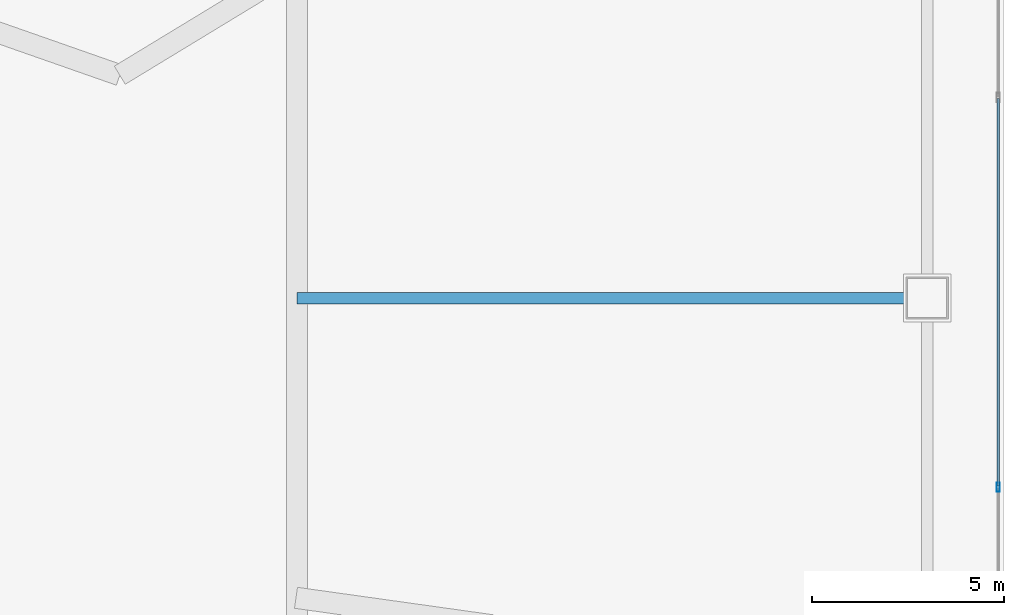
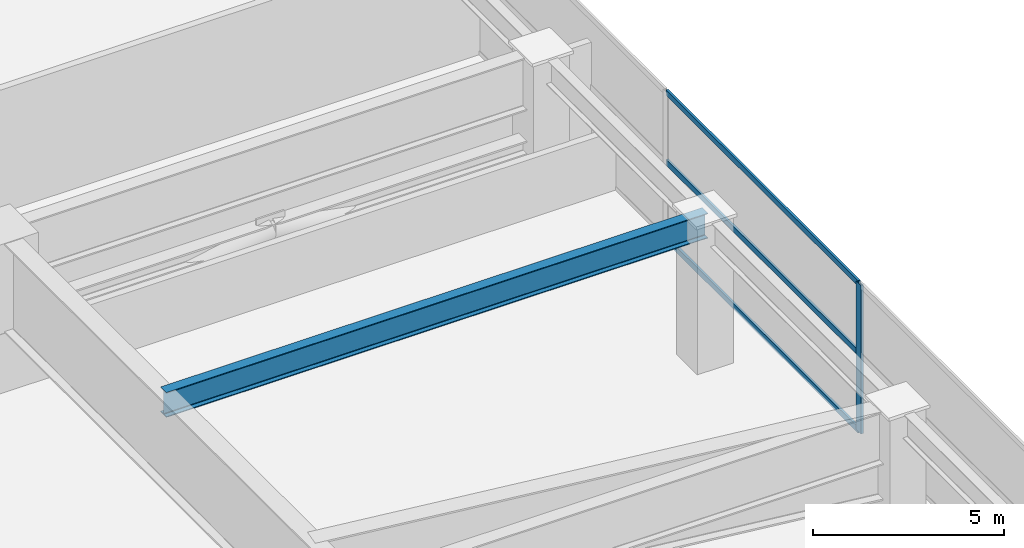
# One storey, part 24 of 36: 4 members, 1 beam, 1 element without a shape of its own.
"""IFC4 building model written with IfcOpenShell, lengths in metres."""

from ifc_helpers import new_model, si_unit, direction, frame, origin, origin_2d, place, context, subcontext, project, spatial, hollow_rectangle, i_section, extrude, material, layer, layer_set, material_profile, profile_set, type_object, element, aggregate, save


model = new_model("IFC4")

# Units and contexts
model_context = context("Model", 3, precision=1e-05, world=origin(), true_north=direction((0.0, 1.0)))
body_context = subcontext(model_context, "Body", "Model", "MODEL_VIEW")
ifc_project = project(units=[si_unit("LENGTHUNIT", "METRE"), si_unit("AREAUNIT", "SQUARE_METRE"), si_unit("VOLUMEUNIT", "CUBIC_METRE"), si_unit("PLANEANGLEUNIT", "RADIAN"), si_unit("MASSUNIT", "GRAM", prefix="KILO")], contexts=[model_context])

# Site, building, storey
site_placement = place(None, origin())
site = spatial("IfcSite", under=ifc_project, at=site_placement, CompositionType="ELEMENT")
building_placement = place(site_placement, origin())
building = spatial("IfcBuilding", under=site, at=building_placement, Name="Calvorn Quay Hotel", CompositionType="ELEMENT")
storey_placement = place(building_placement, frame((0.0, 0.0, 22.0)))
storey = spatial("IfcBuildingStorey", under=building, at=storey_placement, Name="L04", CompositionType="ELEMENT", Elevation=22.0)

# Beam
ifc_material_1 = material(Name="Steel Q390GJC", Category="steel")
ifc_material_profile_1 = material_profile(ifc_material_1, i_section(OverallWidth=0.300048828125, OverallDepth=0.800048828125, WebThickness=0.013916015625, FlangeThickness=0.02587890625, FilletRadius=0.02392578125, at=origin_2d()), Name="HN800x300x14x26")
ifc_profile_set_1 = profile_set([ifc_material_profile_1], Name="Steel Q390GJC")
beam_type = type_object("IfcBeamType", Name="BM-GIRD-POD", PredefinedType="BEAM", material=ifc_profile_set_1)
beam_placement = place(storey_placement, frame((57.60009765625, 27.60009765625, 4.340087890625), z_axis=(1.0, 0.0, 0.0), x_axis=(0.0, 1.0, 0.0)))
element("IfcBeam", 1, at=beam_placement, inside=storey, type_object=beam_type, Name="Beam BG-L04-GDN2", PredefinedType="BEAM", context=body_context, shape_type="SweptSolid", body=[
    extrude(i_section(OverallWidth=0.300048828125, OverallDepth=0.800048828125, WebThickness=0.013916015625, FlangeThickness=0.02587890625, FilletRadius=0.02392578125, at=origin_2d()), origin(), (0.0, 0.0, 1.0), 16.39990234375),
])

# Curtain wall, members
ifc_material_2 = material(Name="Pale Anodised Aluminium and Low-E Glass", Category="aluminium")
ifc_layer = layer(ifc_material_2, 0.219970703125)
ifc_layer_set = layer_set([ifc_layer], Name="CW-SYS-POD")
curtain_wall_type = type_object("IfcCurtainWallType", Name="CW-SYS-POD", PredefinedType="NOTDEFINED", material=ifc_layer_set)
curtain_wall_placement = place(storey_placement, origin())
curtain_wall = element("IfcCurtainWall", 2, at=curtain_wall_placement, inside=storey, type_object=curtain_wall_type, Name="Podium Curtain Wall L04-E1", PredefinedType="NOTDEFINED")
ifc_material_3 = material(Name="Pale Anodised Aluminium 6063-T6", Category="aluminium")
ifc_material_profile_2 = material_profile(ifc_material_3, hollow_rectangle(XDim=0.080078125, YDim=0.239990234375, WallThickness=0.0048828125, at=origin_2d()), Name="ALU-M240x80x5")
ifc_profile_set_2 = profile_set([ifc_material_profile_2], Name="Pale Anodised Aluminium 6063-T6")
member_type_1 = type_object("IfcMemberType", Name="CW-SYS-POD-MUL", PredefinedType="MULLION", material=ifc_profile_set_2)
member_1_placement = place(storey_placement, frame((75.85009765625, 22.679931640625, 0.0), z_axis=(0.0, 0.0, 1.0), x_axis=(-1.0, 0.0, 0.0)))
member_1 = element("IfcMember", 3, at=member_1_placement, type_object=member_type_1, Name="CW-L04-E1 mullion 3", PredefinedType="MULLION", context=body_context, shape_type="SweptSolid", body=[
    extrude(hollow_rectangle(XDim=0.080078125, YDim=0.239990234375, WallThickness=0.0048828125, at=origin_2d()), origin(), (0.0, 0.0, 1.0), 4.760009765625),
])
ifc_material_4 = material(Name="Pale Anodised Aluminium 6063-T6", Category="aluminium")
ifc_material_profile_3 = material_profile(ifc_material_4, hollow_rectangle(XDim=0.070068359375, YDim=0.179931640625, WallThickness=0.00390625, at=origin_2d()), Name="ALU-T180x70x4")
ifc_profile_set_3 = profile_set([ifc_material_profile_3], Name="Pale Anodised Aluminium 6063-T6")
member_type_2 = type_object("IfcMemberType", Name="CW-SYS-POD-TRN", PredefinedType="USERDEFINED", material=ifc_profile_set_3)
member_2_placement = place(storey_placement, frame((75.85009765625, 22.7099609375, 0.030029296875), z_axis=(0.0, 1.0, 0.0), x_axis=(-1.0, 0.0, 0.0)))
member_2 = element("IfcMember", 4, at=member_2_placement, type_object=member_type_2, Name="CW-L04-E1 transom 3.1", ObjectType="TRANSOM", PredefinedType="USERDEFINED", context=body_context, shape_type="SweptSolid", body=[
    extrude(hollow_rectangle(XDim=0.070068359375, YDim=0.179931640625, WallThickness=0.00390625, at=origin_2d()), origin(), (0.0, 0.0, 1.0), 10.080078125),
])
member_3_placement = place(storey_placement, frame((75.85009765625, 22.7099609375, 2.5), z_axis=(0.0, 1.0, 0.0), x_axis=(-1.0, 0.0, 0.0)))
member_3 = element("IfcMember", 5, at=member_3_placement, type_object=member_type_2, Name="CW-L04-E1 transom 3.2", ObjectType="TRANSOM", PredefinedType="USERDEFINED", context=body_context, shape_type="SweptSolid", body=[
    extrude(hollow_rectangle(XDim=0.070068359375, YDim=0.179931640625, WallThickness=0.00390625, at=origin_2d()), origin(), (0.0, 0.0, 1.0), 10.080078125),
])
member_4_placement = place(storey_placement, frame((75.85009765625, 22.7099609375, 4.72998046875), z_axis=(0.0, 1.0, 0.0), x_axis=(-1.0, 0.0, 0.0)))
member_4 = element("IfcMember", 6, at=member_4_placement, type_object=member_type_2, Name="CW-L04-E1 transom 3.3", ObjectType="TRANSOM", PredefinedType="USERDEFINED", context=body_context, shape_type="SweptSolid", body=[
    extrude(hollow_rectangle(XDim=0.070068359375, YDim=0.179931640625, WallThickness=0.00390625, at=origin_2d()), origin(), (0.0, 0.0, 1.0), 10.080078125),
])
aggregate(curtain_wall, [member_1, member_2, member_3, member_4])

save(model, "model.ifc")
